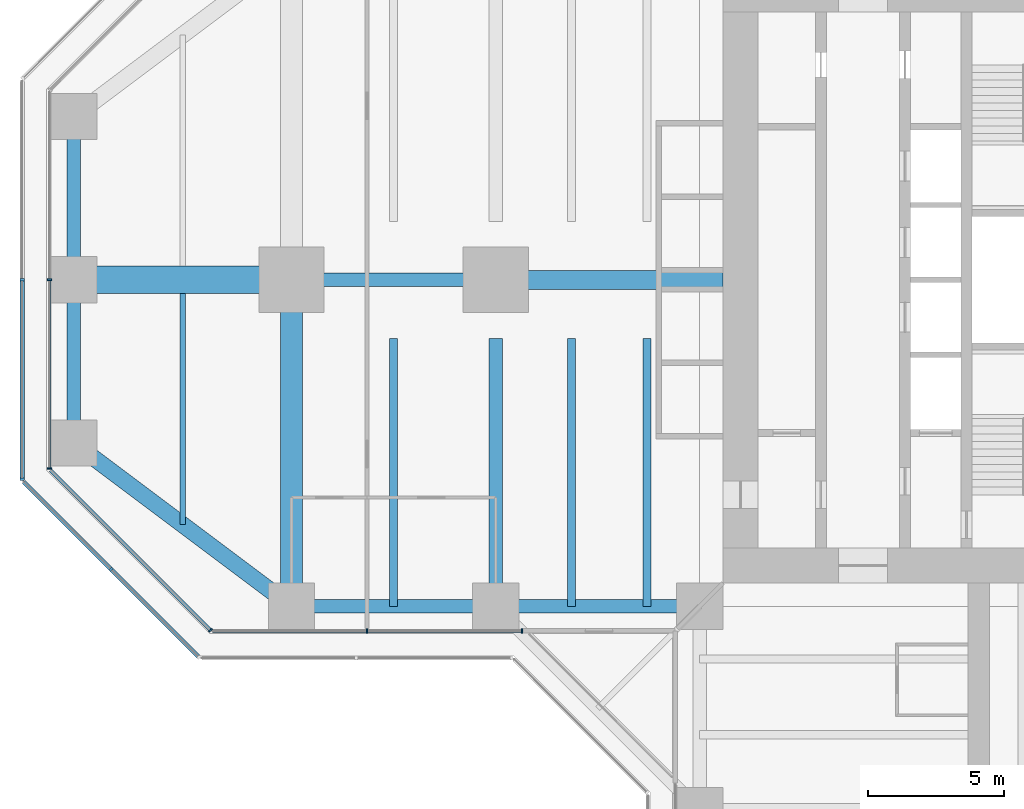
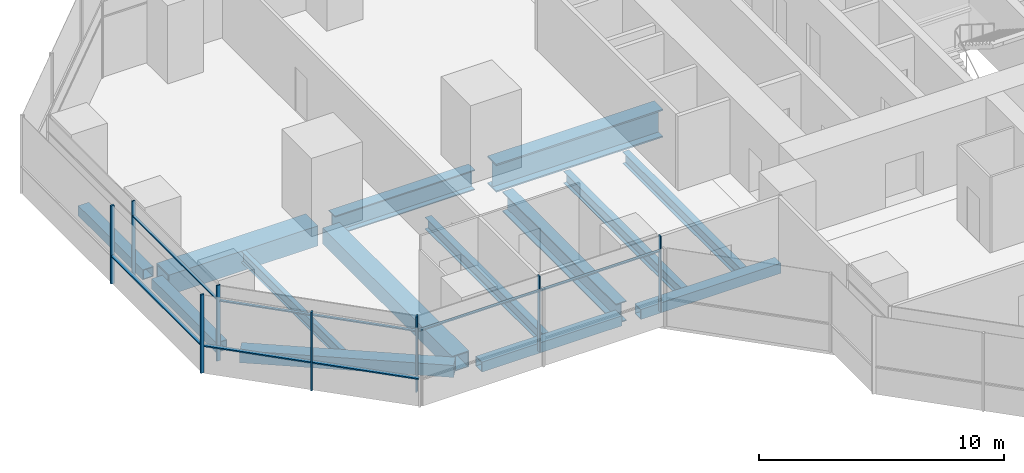
# One storey, part 3 of 20: 15 members, 14 beams, 5 elements without a shape of their own.
"""IFC4 building model written with IfcOpenShell, lengths in metres."""

from ifc_helpers import new_model, si_unit, direction, frame, origin, origin_2d, place, context, subcontext, project, spatial, rectangle, hollow_rectangle, i_section, extrude, material, material_profile, profile_set, type_object, element, aggregate, save


model = new_model("IFC4")

# Units and contexts
model_context = context("Model", 3, precision=1e-05, world=origin(), true_north=direction((0.0, 1.0)))
body_context = subcontext(model_context, "Body", "Model", "MODEL_VIEW")
ifc_project = project(units=[si_unit("LENGTHUNIT", "METRE"), si_unit("AREAUNIT", "SQUARE_METRE"), si_unit("VOLUMEUNIT", "CUBIC_METRE"), si_unit("PLANEANGLEUNIT", "RADIAN"), si_unit("MASSUNIT", "GRAM", prefix="KILO")], contexts=[model_context])

# Site, building, storey
site_placement = place(None, origin())
site = spatial("IfcSite", under=ifc_project, at=site_placement, CompositionType="ELEMENT")
building_placement = place(site_placement, origin())
building = spatial("IfcBuilding", under=site, at=building_placement, Name="Mizan Broadcast Tower", CompositionType="ELEMENT")
storey_placement = place(building_placement, frame((0.0, 0.0, 190.5)))
storey = spatial("IfcBuildingStorey", under=building, at=storey_placement, Name="L44", CompositionType="ELEMENT", Elevation=190.5)

# Beams
ifc_material_1 = material(Name="Steel S355", Category="steel")
ifc_material_profile_1 = material_profile(ifc_material_1, hollow_rectangle(XDim=0.5, YDim=0.5, WallThickness=0.030029296875, at=origin_2d()), Name="BOX 500x500x30")
ifc_profile_set_1 = profile_set([ifc_material_profile_1], Name="Steel S355")
beam_type_1 = type_object("IfcBeamType", Name="EDGE BEAM BOX 500x500x30", PredefinedType="SPANDREL", material=ifc_profile_set_1)
beam_1_placement = place(storey_placement, frame((-35.0, 5.639892578125, -0.3798828125), z_axis=(0.0, -1.0, 0.0), x_axis=(1.0, 0.0, 0.0)))
element("IfcBeam", 1, at=beam_1_placement, inside=storey, type_object=beam_type_1, Name="Edge beam BOX 500x500x30 L44 west arm", PredefinedType="SPANDREL", context=body_context, shape_type="SweptSolid", body=[
    extrude(hollow_rectangle(XDim=0.5, YDim=0.5, WallThickness=0.030029296875, at=origin_2d()), origin(), (0.0, 0.0, 1.0), 5.27978515625),
])
for number, where, z_axis, x_axis, name in (
    (2, (-12.449951171875, -12.0, -0.3798828125), (-1.0, 0.0, 0.0), (0.0, -1.0, 0.0), "Edge beam BOX 500x500x30 L44 west arm"),
    (3, (-19.949951171875, -12.0, -0.3798828125), (-1.0, 0.0, 0.0), (0.0, -1.0, 0.0), "Edge beam BOX 500x500x30 L44 west arm"),
):
    element("IfcBeam", number, at=place(storey_placement, frame(where, z_axis=z_axis, x_axis=x_axis)), inside=storey, type_object=beam_type_1, Name=name, PredefinedType="SPANDREL", context=body_context, shape_type="SweptSolid", body=[
        extrude(hollow_rectangle(XDim=0.5, YDim=0.5, WallThickness=0.030029296875, at=origin_2d()), origin(), (0.0, 0.0, 1.0), 6.60009765625),
    ])
beam_2_placement = place(storey_placement, frame((-35.0, -5.639892578125, -0.3798828125), z_axis=(0.0, 1.0, 0.0), x_axis=(-1.0, 0.0, 0.0)))
element("IfcBeam", 4, at=beam_2_placement, inside=storey, type_object=beam_type_1, Name="Edge beam BOX 500x500x30 L44 west arm", PredefinedType="SPANDREL", context=body_context, shape_type="SweptSolid", body=[
    extrude(hollow_rectangle(XDim=0.5, YDim=0.5, WallThickness=0.030029296875, at=origin_2d()), origin(), (0.0, 0.0, 1.0), 5.27978515625),
])
ifc_material_2 = material(Name="Steel S355", Category="steel")
ifc_material_profile_2 = material_profile(ifc_material_2, hollow_rectangle(XDim=0.60009765625, YDim=0.60009765625, WallThickness=0.030029296875, at=origin_2d()), Name="BOX 600x600x30")
ifc_profile_set_2 = profile_set([ifc_material_profile_2], Name="Steel S355")
beam_type_2 = type_object("IfcBeamType", Name="EDGE BEAM BOX 600x600x30", PredefinedType="SPANDREL", material=ifc_profile_set_2)
beam_3_placement = place(storey_placement, frame((-27.47998046875, -11.639892578125, -0.429931640625), z_axis=(-0.800013316712, 0.599982243973, 0.0), x_axis=(-0.599982243973, -0.800013316712, 0.0)))
element("IfcBeam", 5, at=beam_3_placement, inside=storey, type_object=beam_type_2, Name="Edge beam BOX 600x600x30 L44 west arm", PredefinedType="SPANDREL", context=body_context, shape_type="SweptSolid", body=[
    extrude(hollow_rectangle(XDim=0.60009765625, YDim=0.60009765625, WallThickness=0.030029296875, at=origin_2d()), origin(), (0.0, 0.0, 1.0), 8.7998046875),
])
ifc_material_3 = material(Name="Steel S460", Category="steel")
ifc_material_profile_3 = material_profile(ifc_material_3, hollow_rectangle(XDim=1.0, YDim=1.0, WallThickness=0.06005859375, at=origin_2d()), Name="BOX 1000x1000x60")
ifc_profile_set_3 = profile_set([ifc_material_profile_3], Name="Steel S460")
beam_type_3 = type_object("IfcBeamType", Name="GIRDER BOX 1000x1000x60", PredefinedType="BEAM", material=ifc_profile_set_3)
beam_4_placement = place(storey_placement, frame((-27.47998046875, 0.0, -0.6298828125), z_axis=(-1.0, 0.0, 0.0), x_axis=(0.0, -1.0, 0.0)))
element("IfcBeam", 6, at=beam_4_placement, inside=storey, type_object=beam_type_3, Name="Girder BOX 1000x1000x60 L44 west arm", PredefinedType="BEAM", context=body_context, shape_type="SweptSolid", body=[
    extrude(hollow_rectangle(XDim=1.0, YDim=1.0, WallThickness=0.06005859375, at=origin_2d()), origin(), (0.0, 0.0, 1.0), 7.0400390625),
])
ifc_material_4 = material(Name="Steel S460", Category="steel")
ifc_material_profile_4 = material_profile(ifc_material_4, hollow_rectangle(XDim=0.800048828125, YDim=0.800048828125, WallThickness=0.050048828125, at=origin_2d()), Name="BOX 800x800x50")
ifc_profile_set_4 = profile_set([ifc_material_profile_4], Name="Steel S460")
beam_type_4 = type_object("IfcBeamType", Name="GIRDER BOX 800x800x50", PredefinedType="BEAM", material=ifc_profile_set_4)
beam_5_placement = place(storey_placement, frame((-27.0, -11.280029296875, -0.530029296875), z_axis=(0.0, 1.0, 0.0), x_axis=(-1.0, 0.0, 0.0)))
element("IfcBeam", 7, at=beam_5_placement, inside=storey, type_object=beam_type_4, Name="Girder BOX 800x800x50 L44 west arm", PredefinedType="BEAM", context=body_context, shape_type="SweptSolid", body=[
    extrude(hollow_rectangle(XDim=0.800048828125, YDim=0.800048828125, WallThickness=0.050048828125, at=origin_2d()), origin(), (0.0, 0.0, 1.0), 10.56005859375),
])
ifc_material_5 = material(Name="Steel S460", Category="steel")
ifc_material_profile_5 = material_profile(ifc_material_5, i_section(OverallWidth=0.5, OverallDepth=1.0, WebThickness=0.02490234375, FlangeThickness=0.050048828125, at=origin_2d()), Name="WPG 1000x500")
ifc_profile_set_5 = profile_set([ifc_material_profile_5], Name="Steel S460")
beam_type_5 = type_object("IfcBeamType", Name="GIRDER WPG 1000x500", PredefinedType="BEAM", material=ifc_profile_set_5)
beam_6_placement = place(storey_placement, frame((-19.949951171875, 0.0, -0.6298828125), z_axis=(-1.0, 0.0, 0.0), x_axis=(0.0, -1.0, 0.0)))
element("IfcBeam", 8, at=beam_6_placement, inside=storey, type_object=beam_type_5, Name="Girder WPG 1000x500 L44 west arm", PredefinedType="BEAM", context=body_context, shape_type="SweptSolid", body=[
    extrude(i_section(OverallWidth=0.5, OverallDepth=1.0, WebThickness=0.02490234375, FlangeThickness=0.050048828125, at=origin_2d()), origin(), (0.0, 0.0, 1.0), 6.60009765625),
])
beam_7_placement = place(storey_placement, frame((-19.5, -11.408935546875, -0.6298828125), z_axis=(0.0, 1.0, 0.0), x_axis=(-1.0, 0.0, 0.0)))
element("IfcBeam", 9, at=beam_7_placement, inside=storey, type_object=beam_type_5, Name="Girder WPG 1000x500 L44 west arm", PredefinedType="BEAM", context=body_context, shape_type="SweptSolid", body=[
    extrude(i_section(OverallWidth=0.5, OverallDepth=1.0, WebThickness=0.02490234375, FlangeThickness=0.050048828125, at=origin_2d()), origin(), (0.0, 0.0, 1.0), 9.259033203125),
])
ifc_material_6 = material(Name="Steel S460", Category="steel")
ifc_material_profile_6 = material_profile(ifc_material_6, i_section(OverallWidth=0.699951171875, OverallDepth=1.39990234375, WebThickness=0.030029296875, FlangeThickness=0.070068359375, at=origin_2d()), Name="WPG 1400x700")
ifc_profile_set_6 = profile_set([ifc_material_profile_6], Name="Steel S460")
beam_type_6 = type_object("IfcBeamType", Name="GIRDER WPG 1400x700", PredefinedType="BEAM", material=ifc_profile_set_6)
beam_8_placement = place(storey_placement, frame((-11.14990234375, 0.0, -0.830078125), z_axis=(-1.0, 0.0, 0.0), x_axis=(0.0, -1.0, 0.0)))
element("IfcBeam", 10, at=beam_8_placement, inside=storey, type_object=beam_type_6, Name="Girder WPG 1400x700 L44 west arm", PredefinedType="BEAM", context=body_context, shape_type="SweptSolid", body=[
    extrude(i_section(OverallWidth=0.699951171875, OverallDepth=1.39990234375, WebThickness=0.030029296875, FlangeThickness=0.070068359375, at=origin_2d()), origin(), (0.0, 0.0, 1.0), 7.84912109375),
])

# Curtain wall, members
ifc_material_7 = material(Name="Aluminium framed glazing", Category="aluminium")
curtain_wall_type_1 = type_object("IfcCurtainWallType", Name="INNER SKIN MID ZONE", PredefinedType="USERDEFINED", material=ifc_material_7)
curtain_wall_1_placement = place(storey_placement, origin())
curtain_wall_1 = element("IfcCurtainWall", 11, at=curtain_wall_1_placement, inside=storey, type_object=curtain_wall_type_1, Name="Inner skin mid zone L44 W end", ObjectType="INNER SKIN MID ZONE", PredefinedType="USERDEFINED")
ifc_material_8 = material(Name="Aluminium, pale anodised", Category="aluminium")
ifc_material_profile_7 = material_profile(ifc_material_8, rectangle(XDim=0.159912109375, YDim=0.06005859375, at=origin_2d()), Name="MULLION 160x60")
ifc_profile_set_7 = profile_set([ifc_material_profile_7], Name="Aluminium, pale anodised")
member_type_1 = type_object("IfcMemberType", Name="INNER SKIN MULLION 60x160", PredefinedType="MULLION", material=ifc_profile_set_7)
member_1_placement = place(storey_placement, frame((-35.89990234375, 0.0, 0.0), z_axis=(0.0, 0.0, 1.0), x_axis=(1.0, 0.0, 0.0)))
member_1 = element("IfcMember", 12, at=member_1_placement, type_object=member_type_1, Name="Inner skin mid zone L44 W end mullion 2", PredefinedType="MULLION", context=body_context, shape_type="SweptSolid", body=[
    extrude(rectangle(XDim=0.159912109375, YDim=0.06005859375, at=origin_2d()), origin(), (0.0, 0.0, 1.0), 3.77001953125),
])
member_2_placement = place(storey_placement, frame((-35.89990234375, -6.928466796875, 0.0), z_axis=(0.0, 0.0, 1.0), x_axis=(1.0, 0.0, 0.0)))
member_2 = element("IfcMember", 13, at=member_2_placement, type_object=member_type_1, Name="Inner skin mid zone L44 W end mullion 3", PredefinedType="MULLION", context=body_context, shape_type="SweptSolid", body=[
    extrude(rectangle(XDim=0.159912109375, YDim=0.06005859375, at=origin_2d()), origin(), (0.0, 0.0, 1.0), 3.77001953125),
])

# Curtain wall, member
curtain_wall_2_placement = place(storey_placement, origin())
curtain_wall_2 = element("IfcCurtainWall", 14, at=curtain_wall_2_placement, inside=storey, type_object=curtain_wall_type_1, Name="Inner skin mid zone L44 W chamfer", ObjectType="INNER SKIN MID ZONE", PredefinedType="USERDEFINED")
member_3_placement = place(storey_placement, frame((-29.979736328125, -12.87890625, 0.0), z_axis=(0.0, 0.0, 1.0), x_axis=(0.707106781187, 0.707106781187, 0.0)))
member_3 = element("IfcMember", 15, at=member_3_placement, type_object=member_type_1, Name="Inner skin mid zone L44 W chamfer mullion 2", PredefinedType="MULLION", context=body_context, shape_type="SweptSolid", body=[
    extrude(rectangle(XDim=0.159912109375, YDim=0.06005859375, at=origin_2d()), origin(), (0.0, 0.0, 1.0), 3.77001953125),
])

# Curtain wall, members
curtain_wall_3_placement = place(storey_placement, origin())
curtain_wall_3 = element("IfcCurtainWall", 16, at=curtain_wall_3_placement, inside=storey, type_object=curtain_wall_type_1, Name="Inner skin mid zone L44 W side", ObjectType="INNER SKIN MID ZONE", PredefinedType="USERDEFINED")
member_4_placement = place(storey_placement, frame((-24.229248046875, -12.89990234375, 0.0), z_axis=(0.0, 0.0, 1.0), x_axis=(0.0, 1.0, 0.0)))
member_4 = element("IfcMember", 17, at=member_4_placement, type_object=member_type_1, Name="Inner skin mid zone L44 W side mullion 2", PredefinedType="MULLION", context=body_context, shape_type="SweptSolid", body=[
    extrude(rectangle(XDim=0.159912109375, YDim=0.06005859375, at=origin_2d()), origin(), (0.0, 0.0, 1.0), 3.77001953125),
])
member_5_placement = place(storey_placement, frame((-18.530029296875, -12.89990234375, 0.0), z_axis=(0.0, 0.0, 1.0), x_axis=(0.0, 1.0, 0.0)))
member_5 = element("IfcMember", 18, at=member_5_placement, type_object=member_type_1, Name="Inner skin mid zone L44 W side mullion 3", PredefinedType="MULLION", context=body_context, shape_type="SweptSolid", body=[
    extrude(rectangle(XDim=0.159912109375, YDim=0.06005859375, at=origin_2d()), origin(), (0.0, 0.0, 1.0), 3.77001953125),
])

# Member
ifc_material_9 = material(Name="Aluminium, pale anodised", Category="aluminium")
ifc_material_profile_8 = material_profile(ifc_material_9, rectangle(XDim=0.1201171875, YDim=0.06005859375, at=origin_2d()), Name="TRANSOM 120x60")
ifc_profile_set_8 = profile_set([ifc_material_profile_8], Name="Aluminium, pale anodised")
member_type_2 = type_object("IfcMemberType", Name="INNER SKIN TRANSOM 60x120", PredefinedType="USERDEFINED", material=ifc_profile_set_8)
member_6_placement = place(storey_placement, frame((-35.89990234375, -0.030029296875, 3.030029296875), z_axis=(0.0, -1.0, 0.0), x_axis=(1.0, 0.0, 0.0)))
member_6 = element("IfcMember", 19, at=member_6_placement, type_object=member_type_2, Name="Inner skin mid zone L44 W end transom 2.1", ObjectType="TRANSOM", PredefinedType="USERDEFINED", context=body_context, shape_type="SweptSolid", body=[
    extrude(rectangle(XDim=0.1201171875, YDim=0.06005859375, at=origin_2d()), origin(), (0.0, 0.0, 1.0), 6.86865234375),
])

aggregate(curtain_wall_1, [member_1, member_2, member_6])

member_7_placement = place(storey_placement, frame((-35.857666015625, -7.0009765625, 3.030029296875), z_axis=(0.707106781187, -0.707106781187, 0.0), x_axis=(0.707106781187, 0.707106781187, 0.0)))
member_7 = element("IfcMember", 20, at=member_7_placement, type_object=member_type_2, Name="Inner skin mid zone L44 W chamfer transom 1.1", ObjectType="TRANSOM", PredefinedType="USERDEFINED", context=body_context, shape_type="SweptSolid", body=[
    extrude(rectangle(XDim=0.1201171875, YDim=0.06005859375, at=origin_2d()), origin(), (0.0, 0.0, 1.0), 8.28271484375),
])

aggregate(curtain_wall_2, [member_3, member_7])

member_8_placement = place(storey_placement, frame((-29.898681640625, -12.89990234375, 3.030029296875), z_axis=(1.0, 0.0, 0.0), x_axis=(0.0, 1.0, 0.0)))
member_8 = element("IfcMember", 21, at=member_8_placement, type_object=member_type_2, Name="Inner skin mid zone L44 W side transom 1.1", ObjectType="TRANSOM", PredefinedType="USERDEFINED", context=body_context, shape_type="SweptSolid", body=[
    extrude(rectangle(XDim=0.1201171875, YDim=0.06005859375, at=origin_2d()), origin(), (0.0, 0.0, 1.0), 5.639404296875),
])

member_9_placement = place(storey_placement, frame((-24.19921875, -12.89990234375, 3.030029296875), z_axis=(1.0, 0.0, 0.0), x_axis=(0.0, 1.0, 0.0)))
member_9 = element("IfcMember", 22, at=member_9_placement, type_object=member_type_2, Name="Inner skin mid zone L44 W side transom 2.1", ObjectType="TRANSOM", PredefinedType="USERDEFINED", context=body_context, shape_type="SweptSolid", body=[
    extrude(rectangle(XDim=0.1201171875, YDim=0.06005859375, at=origin_2d()), origin(), (0.0, 0.0, 1.0), 5.63916015625),
])

aggregate(curtain_wall_3, [member_4, member_5, member_8, member_9])

# Curtain wall, members
ifc_material_10 = material(Name="Aluminium framed glazing", Category="aluminium")
curtain_wall_type_2 = type_object("IfcCurtainWallType", Name="OUTER SKIN", PredefinedType="USERDEFINED", material=ifc_material_10)
curtain_wall_4_placement = place(storey_placement, origin())
curtain_wall_4 = element("IfcCurtainWall", 23, at=curtain_wall_4_placement, inside=storey, type_object=curtain_wall_type_2, Name="Outer skin L44 W end", ObjectType="OUTER SKIN", PredefinedType="USERDEFINED")
ifc_material_11 = material(Name="Aluminium, pale anodised", Category="aluminium")
ifc_material_profile_9 = material_profile(ifc_material_11, rectangle(XDim=0.159912109375, YDim=0.080078125, at=origin_2d()), Name="MULLION 160x80")
ifc_profile_set_9 = profile_set([ifc_material_profile_9], Name="Aluminium, pale anodised")
member_type_3 = type_object("IfcMemberType", Name="OUTER SKIN MULLION 80x160", PredefinedType="MULLION", material=ifc_profile_set_9)
member_10_placement = place(storey_placement, frame((-36.89990234375, 0.0, 0.0), z_axis=(0.0, 0.0, 1.0), x_axis=(1.0, 0.0, 0.0)))
member_10 = element("IfcMember", 24, at=member_10_placement, type_object=member_type_3, Name="Outer skin L44 W end mullion 2", PredefinedType="MULLION", context=body_context, shape_type="SweptSolid", body=[
    extrude(rectangle(XDim=0.159912109375, YDim=0.080078125, at=origin_2d()), origin(), (0.0, 0.0, 1.0), 3.89990234375),
])
member_11_placement = place(storey_placement, frame((-36.89990234375, -7.332763671875, 0.0), z_axis=(0.0, 0.0, 1.0), x_axis=(1.0, 0.0, 0.0)))
member_11 = element("IfcMember", 25, at=member_11_placement, type_object=member_type_3, Name="Outer skin L44 W end mullion 3", PredefinedType="MULLION", context=body_context, shape_type="SweptSolid", body=[
    extrude(rectangle(XDim=0.159912109375, YDim=0.080078125, at=origin_2d()), origin(), (0.0, 0.0, 1.0), 3.89990234375),
])

# Curtain wall, member
curtain_wall_5_placement = place(storey_placement, origin())
curtain_wall_5 = element("IfcCurtainWall", 26, at=curtain_wall_5_placement, inside=storey, type_object=curtain_wall_type_2, Name="Outer skin L44 W chamfer", ObjectType="OUTER SKIN", PredefinedType="USERDEFINED")
member_12_placement = place(storey_placement, frame((-33.636474609375, -10.636474609375, 0.0), z_axis=(0.0, 0.0, 1.0), x_axis=(0.707106781187, 0.707106781187, 0.0)))
member_12 = element("IfcMember", 27, at=member_12_placement, type_object=member_type_3, Name="Outer skin L44 W chamfer mullion 2", PredefinedType="MULLION", context=body_context, shape_type="SweptSolid", body=[
    extrude(rectangle(XDim=0.159912109375, YDim=0.080078125, at=origin_2d()), origin(), (0.0, 0.0, 1.0), 3.89990234375),
])

# Member
ifc_material_12 = material(Name="Aluminium, pale anodised", Category="aluminium")
ifc_material_profile_10 = material_profile(ifc_material_12, rectangle(XDim=0.159912109375, YDim=0.06005859375, at=origin_2d()), Name="TRANSOM 160x60")
ifc_profile_set_10 = profile_set([ifc_material_profile_10], Name="Aluminium, pale anodised")
member_type_4 = type_object("IfcMemberType", Name="OUTER SKIN TRANSOM 60x160", PredefinedType="USERDEFINED", material=ifc_profile_set_10)
member_13_placement = place(storey_placement, frame((-36.89990234375, -0.0400390625, 1.39990234375), z_axis=(0.0, -1.0, 0.0), x_axis=(1.0, 0.0, 0.0)))
member_13 = element("IfcMember", 28, at=member_13_placement, type_object=member_type_4, Name="Outer skin L44 W end transom 2.1", ObjectType="TRANSOM", PredefinedType="USERDEFINED", context=body_context, shape_type="SweptSolid", body=[
    extrude(rectangle(XDim=0.159912109375, YDim=0.06005859375, at=origin_2d()), origin(), (0.0, 0.0, 1.0), 7.252685546875),
])

aggregate(curtain_wall_4, [member_10, member_11, member_13])

member_14_placement = place(storey_placement, frame((-36.843505859375, -7.429443359375, 1.39990234375), z_axis=(0.707106781187, -0.707106781187, 0.0), x_axis=(0.707106781187, 0.707106781187, 0.0)))
member_14 = element("IfcMember", 29, at=member_14_placement, type_object=member_type_4, Name="Outer skin L44 W chamfer transom 1.1", ObjectType="TRANSOM", PredefinedType="USERDEFINED", context=body_context, shape_type="SweptSolid", body=[
    extrude(rectangle(XDim=0.159912109375, YDim=0.06005859375, at=origin_2d()), origin(), (0.0, 0.0, 1.0), 4.495361328125),
])

member_15_placement = place(storey_placement, frame((-33.608154296875, -10.664794921875, 1.39990234375), z_axis=(0.707106781187, -0.707106781187, 0.0), x_axis=(0.707106781187, 0.707106781187, 0.0)))
member_15 = element("IfcMember", 30, at=member_15_placement, type_object=member_type_4, Name="Outer skin L44 W chamfer transom 2.1", ObjectType="TRANSOM", PredefinedType="USERDEFINED", context=body_context, shape_type="SweptSolid", body=[
    extrude(rectangle(XDim=0.159912109375, YDim=0.06005859375, at=origin_2d()), origin(), (0.0, 0.0, 1.0), 4.495361328125),
])

aggregate(curtain_wall_5, [member_12, member_14, member_15])

# Beams
ifc_material_13 = material(Name="Steel S355", Category="steel")
ifc_material_profile_11 = material_profile(ifc_material_13, i_section(OverallWidth=0.300048828125, OverallDepth=0.590087890625, WebThickness=0.012939453125, FlangeThickness=0.02490234375, FilletRadius=0.027099609375, at=origin_2d()), Name="HEA 600")
ifc_profile_set_11 = profile_set([ifc_material_profile_11], Name="Steel S355")
beam_type_7 = type_object("IfcBeamType", Name="SECONDARY BEAM HEA 600", PredefinedType="JOIST", material=ifc_profile_set_11)
for number, where, z_axis, x_axis, name in (
    (31, (-13.933349609375, -12.0, -0.425048828125), (0.0, 1.0, 0.0), (-1.0, 0.0, 0.0), "Secondary beam HEA 600 L44 west arm"),
    (32, (-16.716552734375, -12.0, -0.425048828125), (0.0, 1.0, 0.0), (-1.0, 0.0, 0.0), "Secondary beam HEA 600 L44 west arm"),
    (33, (-23.25, -12.0, -0.425048828125), (0.0, 1.0, 0.0), (-1.0, 0.0, 0.0), "Secondary beam HEA 600 L44 west arm"),
):
    element("IfcBeam", number, at=place(storey_placement, frame(where, z_axis=z_axis, x_axis=x_axis)), inside=storey, type_object=beam_type_7, Name=name, PredefinedType="JOIST", context=body_context, shape_type="SweptSolid", body=[
        extrude(i_section(OverallWidth=0.300048828125, OverallDepth=0.590087890625, WebThickness=0.012939453125, FlangeThickness=0.02490234375, FilletRadius=0.027099609375, at=origin_2d()), origin(), (0.0, 0.0, 1.0), 9.85009765625),
    ])
ifc_material_14 = material(Name="Steel S355", Category="steel")
ifc_material_profile_12 = material_profile(ifc_material_14, i_section(OverallWidth=0.2099609375, OverallDepth=0.550048828125, WebThickness=0.010986328125, FlangeThickness=0.01708984375, FilletRadius=0.02392578125, at=origin_2d()), Name="IPE 550")
ifc_profile_set_12 = profile_set([ifc_material_profile_12], Name="Steel S355")
beam_type_8 = type_object("IfcBeamType", Name="SECONDARY BEAM IPE 550", PredefinedType="JOIST", material=ifc_profile_set_12)
beam_9_placement = place(storey_placement, frame((-31.0, -9.0, -0.405029296875), z_axis=(0.0, 1.0, 0.0), x_axis=(-1.0, 0.0, 0.0)))
element("IfcBeam", 34, at=beam_9_placement, inside=storey, type_object=beam_type_8, Name="Secondary beam IPE 550 L44 west arm", PredefinedType="JOIST", context=body_context, shape_type="SweptSolid", body=[
    extrude(i_section(OverallWidth=0.2099609375, OverallDepth=0.550048828125, WebThickness=0.010986328125, FlangeThickness=0.01708984375, FilletRadius=0.02392578125, at=origin_2d()), origin(), (0.0, 0.0, 1.0), 8.5),
])

save(model, "model.ifc")
